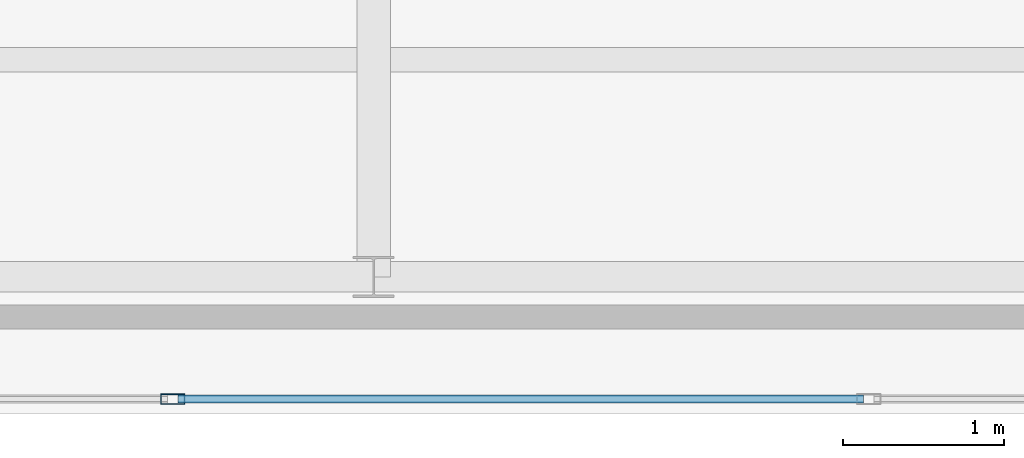
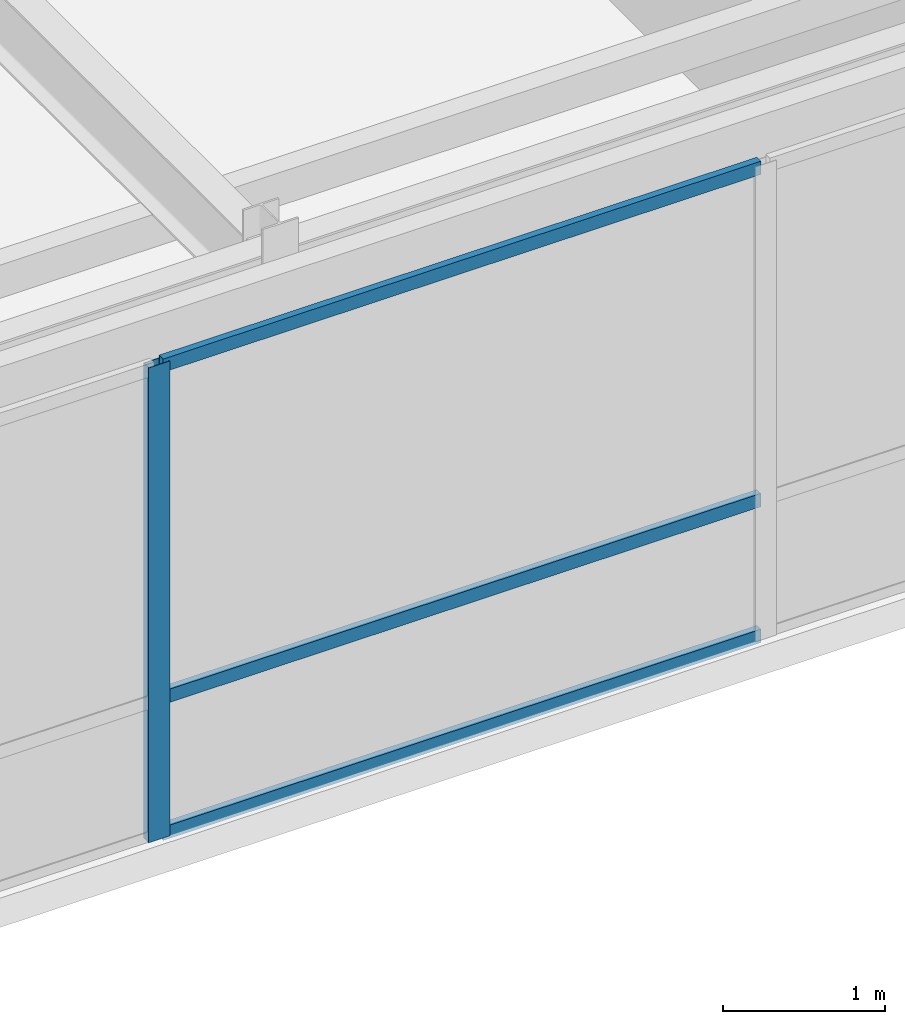
# One storey, part 10 of 36: 4 members, 1 element without a shape of its own.
"""IFC4 building model written with IfcOpenShell, lengths in metres."""

import ifcopenshell
import ifcopenshell.guid

model = None  # the IFC model being written
_history = None  # IfcOwnerHistory: only IFC2X3 demands one
_inside = {}  # id of a spatial element -> (the spatial element, [elements in it])
_under = {}  # id of a project, library or spatial element -> (it, [spatial elements below it])
_declared = {}  # id of a project -> (the project, [libraries it declares])
_typed = {}  # id of a type object -> (the type object, [elements of that type])
_made_of = {}  # id of a material, layer set ... -> (it, [elements and type objects made of it])


def new_model(schema):
    """Start an empty IFC model of exactly this schema.

    Asked for "IFC4X3", IfcOpenShell would pick the latest addendum, in which some entities
    have other attributes; the version numbers below select the first issue.
    IFC2X3 requires an IfcOwnerHistory on every rooted entity: one is made here for all.
    """
    global model, _history
    if schema == "IFC4X3":
        model = ifcopenshell.file(schema_version=(4, 3, 0, 0))
    else:
        model = ifcopenshell.file(schema=schema)
    _inside.clear()
    _under.clear()
    _declared.clear()
    _typed.clear()
    _made_of.clear()
    _history = None
    if model.schema == "IFC2X3":
        org = make("IfcOrganization", Name="unknown")
        user = make(
            "IfcPersonAndOrganization",
            ThePerson=make("IfcPerson", FamilyName="unknown"),
            TheOrganization=org,
        )
        app = make(
            "IfcApplication",
            ApplicationDeveloper=org,
            Version="unknown",
            ApplicationFullName="unknown",
            ApplicationIdentifier="unknown",
        )
        _history = make(
            "IfcOwnerHistory",
            OwningUser=user,
            OwningApplication=app,
            ChangeAction="ADDED",
            CreationDate=0,
        )
    return model


def make(cls, **values):
    """One entity of the class cls with the attributes given. An attribute that is None is left unset."""
    return model.create_entity(
        cls, **{name: value for name, value in values.items() if value is not None}
    )


def rooted(cls, **values):
    """An entity with a GlobalId (a new one), such as an element, a storey or a relation."""
    return make(cls, GlobalId=ifcopenshell.guid.new(), OwnerHistory=_history, **values)


def si_unit(unit_type, name, prefix=None):
    """IfcSIUnit, for example si_unit("LENGTHUNIT", "METRE", prefix="MILLI")."""
    return make("IfcSIUnit", UnitType=unit_type, Prefix=prefix, Name=name)


def assignment(units):
    """IfcUnitAssignment: the units of a project."""
    return None if units is None else make("IfcUnitAssignment", Units=units)


def point(xyz):
    """IfcCartesianPoint."""
    return None if xyz is None else make("IfcCartesianPoint", Coordinates=xyz)


def direction(xyz):
    """IfcDirection."""
    return None if xyz is None else make("IfcDirection", DirectionRatios=xyz)


def frame(location, z_axis=None, x_axis=None):
    """IfcAxis2Placement3D, a coordinate frame: its origin and axes. An axis left out is left unset."""
    return make(
        "IfcAxis2Placement3D",
        Location=point(location),
        Axis=direction(z_axis),
        RefDirection=direction(x_axis),
    )


def frame_2d(location, x_axis=None):
    """IfcAxis2Placement2D, a coordinate frame in the plane: its origin and x axis."""
    return make(
        "IfcAxis2Placement2D", Location=point(location), RefDirection=direction(x_axis)
    )


def origin():
    """The frame at (0, 0, 0) with its axes left unset."""
    return frame((0.0, 0.0, 0.0))


def origin_2d():
    """The frame at (0, 0) in the plane with its x axis left unset."""
    return frame_2d((0.0, 0.0))


def place(relative_to, where):
    """IfcLocalPlacement: puts the frame where relative to a parent placement (None: the world)."""
    return make(
        "IfcLocalPlacement", PlacementRelTo=relative_to, RelativePlacement=where
    )


def context(
    kind, dimensions, precision=None, world=None, true_north=None, identifier=None
):
    """IfcGeometricRepresentationContext, for example the 3D "Model" context."""
    return make(
        "IfcGeometricRepresentationContext",
        ContextIdentifier=identifier,
        ContextType=kind,
        CoordinateSpaceDimension=dimensions,
        Precision=precision,
        WorldCoordinateSystem=world,
        TrueNorth=true_north,
    )


def subcontext(parent, identifier, kind, view, scale=None):
    """IfcGeometricRepresentationSubContext, for example "Body" below "Model"."""
    return make(
        "IfcGeometricRepresentationSubContext",
        ContextIdentifier=identifier,
        ContextType=kind,
        ParentContext=parent,
        TargetScale=scale,
        TargetView=view,
    )


def project(units=None, contexts=None):
    """IfcProject with its units and contexts."""
    return rooted(
        "IfcProject",
        Name="project",
        RepresentationContexts=contexts,
        UnitsInContext=assignment(units),
    )


def spatial(cls, under=None, at=None, **own):
    """A site, building, storey or space (cls), placed at a placement, below another one or the project."""
    s = rooted(cls, ObjectPlacement=at, **own)
    if under is not None:
        _under.setdefault(under.id(), (under, []))[1].append(s)
    return s


def profile(cls, at=None, kind="AREA", **sizes):
    """A parametric profile (cls). Its sizes go by their IFC names, for example OverallWidth=200.0."""
    return make(cls, ProfileType=kind, Position=at, **sizes)


def hollow_rectangle(**sizes):
    """IfcRectangleHollowProfileDef."""
    return profile("IfcRectangleHollowProfileDef", **sizes)


def extrude(swept, where, along, depth):
    """IfcExtrudedAreaSolid: the profile swept, set in the frame where, extruded along a direction by depth."""
    return make(
        "IfcExtrudedAreaSolid",
        SweptArea=swept,
        Position=where,
        ExtrudedDirection=direction(along),
        Depth=depth,
    )


def shape(context_of_items, identifier, shape_type, items):
    """IfcShapeRepresentation: the items that make up one representation, for example the "Body"."""
    return make(
        "IfcShapeRepresentation",
        ContextOfItems=context_of_items,
        RepresentationIdentifier=identifier,
        RepresentationType=shape_type,
        Items=items,
    )


def source(mapping_origin, context_of_items, identifier, shape_type, items):
    """IfcRepresentationMap: a shape defined once, which mapped items show again and again."""
    return make(
        "IfcRepresentationMap",
        MappingOrigin=mapping_origin,
        MappedRepresentation=shape(context_of_items, identifier, shape_type, items),
    )


def transform(
    local_origin,
    x_axis=None,
    y_axis=None,
    z_axis=None,
    scale=None,
    scale2=None,
    scale3=None,
    uniform=True,
):
    """IfcCartesianTransformationOperator3D, or its non-uniform kind. x_axis, y_axis, z_axis: its Axis1, 2, 3."""
    if uniform:
        return make(
            "IfcCartesianTransformationOperator3D",
            Axis1=direction(x_axis),
            Axis2=direction(y_axis),
            LocalOrigin=point(local_origin),
            Scale=scale,
            Axis3=direction(z_axis),
        )
    return make(
        "IfcCartesianTransformationOperator3DnonUniform",
        Axis1=direction(x_axis),
        Axis2=direction(y_axis),
        LocalOrigin=point(local_origin),
        Scale=scale,
        Axis3=direction(z_axis),
        Scale2=scale2,
        Scale3=scale3,
    )


def mapped(mapping_source, mapping_target):
    """IfcMappedItem: shows the shape of a source again, moved by a transform."""
    return make(
        "IfcMappedItem", MappingSource=mapping_source, MappingTarget=mapping_target
    )


def material(Name=None, Category=None):
    """IfcMaterial."""
    return make("IfcMaterial", Name=Name, Category=Category)


def layer(
    of_material, thickness, ventilated=None, Name=None, Category=None, Priority=None
):
    """IfcMaterialLayer: one layer of a wall or slab, of a material (None: an air gap)."""
    return make(
        "IfcMaterialLayer",
        Material=of_material,
        LayerThickness=thickness,
        IsVentilated=ventilated,
        Name=Name,
        Category=Category,
        Priority=Priority,
    )


def layer_set(layers, Name=None):
    """IfcMaterialLayerSet."""
    return make("IfcMaterialLayerSet", MaterialLayers=layers, LayerSetName=Name)


def material_profile(
    of_material, cross_section, Name=None, Category=None, Priority=None
):
    """IfcMaterialProfile: a cross section and its material."""
    return make(
        "IfcMaterialProfile",
        Name=Name,
        Material=of_material,
        Profile=cross_section,
        Priority=Priority,
        Category=Category,
    )


def profile_set(profiles, Name=None, composite=None):
    """IfcMaterialProfileSet."""
    return make(
        "IfcMaterialProfileSet",
        Name=Name,
        MaterialProfiles=profiles,
        CompositeProfile=composite,
    )


def made_of(thing, what):
    """Note that an element or type object is made of a material, layer set ...; save() writes the relation."""
    if what is not None:
        _made_of.setdefault(what.id(), (what, []))[1].append(thing)
    return thing


def type_object(cls, material=None, **own):
    """A type object (cls), such as IfcWallType, which elements share."""
    return made_of(rooted(cls, **own), material)


def type_shapes(of_type, sources):
    """Give a type object the sources (RepresentationMaps) that its elements show as mapped items."""
    of_type.RepresentationMaps = sources


def element(
    cls,
    number,
    at=None,
    inside=None,
    cuts=None,
    type_object=None,
    material=None,
    context=None,
    identifier="Body",
    shape_type=None,
    held_by="IfcProductDefinitionShape",
    body=None,
    shapes=None,
    **own,
):
    """One element of the class cls, such as IfcWall. Its Tag is "e" and its number.

    at: its placement. inside: the storey or other place that contains it. cuts: it is an
    opening in that element (IfcRelVoidsElement). A single representation is given by context,
    identifier, shape_type and body (its items); several are given by shapes. held_by: the class
    of the entity that holds the representations. save() writes the other relations.
    """
    e = rooted(cls, Tag="e%d" % number, ObjectPlacement=at, **own)
    if body is not None:
        shapes = [shape(context, identifier, shape_type, body)]
    if shapes is not None:
        e.Representation = make(held_by, Representations=shapes)
    if inside is not None:
        _inside.setdefault(inside.id(), (inside, []))[1].append(e)
    if cuts is not None:
        rooted(
            "IfcRelVoidsElement", RelatingBuildingElement=cuts, RelatedOpeningElement=e
        )
    if type_object is not None:
        _typed.setdefault(type_object.id(), (type_object, []))[1].append(e)
    return made_of(e, material)


def aggregate(whole, parts):
    """IfcRelAggregates: a whole, such as a stair, and the parts it consists of."""
    return rooted("IfcRelAggregates", RelatingObject=whole, RelatedObjects=parts)


def save(model, path):
    """Write the relations noted so far, then the file.

    IfcRelAggregates (storeys below a building ...), IfcRelContainedInSpatialStructure (elements
    in a storey), IfcRelDefinesByType, IfcRelAssociatesMaterial and IfcRelDeclares: one each for
    every whole, place, type object, material and project.
    """
    for whole, parts in _under.values():
        aggregate(whole, parts)
    for where, things in _inside.values():
        rooted(
            "IfcRelContainedInSpatialStructure",
            RelatedElements=things,
            RelatingStructure=where,
        )
    for kind, things in _typed.values():
        rooted("IfcRelDefinesByType", RelatedObjects=things, RelatingType=kind)
    for what, things in _made_of.values():
        rooted("IfcRelAssociatesMaterial", RelatedObjects=things, RelatingMaterial=what)
    for by, libraries in _declared.values():
        rooted("IfcRelDeclares", RelatingContext=by, RelatedDefinitions=libraries)
    model.write(path)


model = new_model("IFC4")

# Units and contexts
model_context = context("Model", 3, precision=1e-05, world=origin(), true_north=direction((0.0, 1.0)))
body_context = subcontext(model_context, "Body", "Model", "MODEL_VIEW")
ifc_project = project(units=[si_unit("LENGTHUNIT", "METRE"), si_unit("AREAUNIT", "SQUARE_METRE"), si_unit("VOLUMEUNIT", "CUBIC_METRE"), si_unit("PLANEANGLEUNIT", "RADIAN"), si_unit("MASSUNIT", "GRAM", prefix="KILO")], contexts=[model_context])

# Site, building, storey
site_placement = place(None, origin())
site = spatial("IfcSite", under=ifc_project, at=site_placement, CompositionType="ELEMENT")
building_placement = place(site_placement, origin())
building = spatial("IfcBuilding", under=site, at=building_placement, Name="Tolvann Quenvar Hotel", CompositionType="ELEMENT")
storey_placement = place(building_placement, frame((0.0, 0.0, 306.14990234375)))
storey = spatial("IfcBuildingStorey", under=building, at=storey_placement, Name="L81", CompositionType="ELEMENT", Elevation=306.14990234375)

# Curtain wall, members
ifc_material_1 = material(Name="Thermally broken anodised architectural aluminium 6063-T6 and laminated low-E glass", Category="aluminium")
ifc_layer = layer(ifc_material_1, 0.179931640625)
ifc_layer_set = layer_set([ifc_layer], Name="Thermally broken anodised architectural aluminium 6063-T6 and laminated low-E glass")
curtain_wall_type = type_object("IfcCurtainWallType", Name="CW_SYS_LANT_06", PredefinedType="USERDEFINED", material=ifc_layer_set)
curtain_wall_placement = place(storey_placement, origin())
curtain_wall = element("IfcCurtainWall", 1, at=curtain_wall_placement, inside=storey, type_object=curtain_wall_type, Name="Curtain Wall CW-LANT-06 (CWR-L81-E04)", ObjectType="UNITISED CURTAIN WALL", PredefinedType="USERDEFINED")
ifc_material_2 = material(Name="Anodised architectural aluminium 6063-T6 framing", Category="aluminium")
ifc_material_profile_1 = material_profile(ifc_material_2, hollow_rectangle(XDim=0.06494140625, YDim=0.14990234375, WallThickness=0.00390625, at=origin_2d()), Name="150x65x4RHS")
ifc_profile_set_1 = profile_set([ifc_material_profile_1], Name="Anodised architectural aluminium 6063-T6 framing")
member_type_1 = type_object("IfcMemberType", Name="CW_MULL_150x65", PredefinedType="MULLION", material=ifc_profile_set_1)
shared_shape_1 = source(origin(), body_context, "Body", "SweptSolid", [
    extrude(hollow_rectangle(XDim=0.06494140625, YDim=0.14990234375, WallThickness=0.00390625, at=origin_2d()), origin(), (0.0, 0.0, 1.0), 3.580078125),
])
type_shapes(member_type_1, [shared_shape_1])
member_1_placement = place(storey_placement, frame((20.800048828125, 6.2900390625, 0.0), z_axis=(0.0, 0.0, 1.0), x_axis=(0.0, 1.0, 0.0)))
member_1 = element("IfcMember", 2, at=member_1_placement, type_object=member_type_1, Name="CW-LANT-06 mullion 4", PredefinedType="MULLION", context=body_context, shape_type="MappedRepresentation", body=[
    mapped(shared_shape_1, transform((0.0, 0.0, 0.0), x_axis=(1.0, 0.0, 0.0), y_axis=(0.0, 1.0, 0.0), z_axis=(0.0, 0.0, 1.0), scale=1.0)),
])
ifc_material_profile_2 = material_profile(ifc_material_2, hollow_rectangle(XDim=0.050048828125, YDim=0.10009765625, WallThickness=0.0029296875, at=origin_2d()), Name="100x50x3RHS")
ifc_profile_set_2 = profile_set([ifc_material_profile_2], Name="Anodised architectural aluminium 6063-T6 framing")
member_type_2 = type_object("IfcMemberType", Name="CW_TRAN_100x50", PredefinedType="USERDEFINED", material=ifc_profile_set_2)
shared_shape_2 = source(origin(), body_context, "Body", "SweptSolid", [
    extrude(hollow_rectangle(XDim=0.050048828125, YDim=0.10009765625, WallThickness=0.0029296875, at=origin_2d()), origin(), (0.0, 0.0, 1.0), 4.2626953125),
])
type_shapes(member_type_2, [shared_shape_2])
member_2_placement = place(storey_placement, frame((20.83251953125, 6.2900390625, 0.025146484375), z_axis=(1.0, 0.0, 0.0), x_axis=(0.0, 1.0, 0.0)))
member_2 = element("IfcMember", 3, at=member_2_placement, type_object=member_type_2, Name="CW-LANT-06 transom 4.1", ObjectType="TRANSOM", PredefinedType="USERDEFINED", context=body_context, shape_type="MappedRepresentation", body=[
    mapped(shared_shape_2, transform((0.0, 0.0, 0.0), x_axis=(1.0, 0.0, 0.0), y_axis=(0.0, 1.0, 0.0), z_axis=(0.0, 0.0, 1.0), scale=1.0)),
])
member_3_placement = place(storey_placement, frame((20.83251953125, 6.2900390625, 1.050048828125), z_axis=(1.0, 0.0, 0.0), x_axis=(0.0, 1.0, 0.0)))
member_3 = element("IfcMember", 4, at=member_3_placement, type_object=member_type_2, Name="CW-LANT-06 transom 4.2", ObjectType="TRANSOM", PredefinedType="USERDEFINED", context=body_context, shape_type="MappedRepresentation", body=[
    mapped(shared_shape_2, transform((0.0, 0.0, 0.0), x_axis=(1.0, 0.0, 0.0), y_axis=(0.0, 1.0, 0.0), z_axis=(0.0, 0.0, 1.0), scale=1.0)),
])
member_4_placement = place(storey_placement, frame((20.83251953125, 6.2900390625, 3.55517578125), z_axis=(1.0, 0.0, 0.0), x_axis=(0.0, 1.0, 0.0)))
member_4 = element("IfcMember", 5, at=member_4_placement, type_object=member_type_2, Name="CW-LANT-06 transom 4.3", ObjectType="TRANSOM", PredefinedType="USERDEFINED", context=body_context, shape_type="MappedRepresentation", body=[
    mapped(shared_shape_2, transform((0.0, 0.0, 0.0), x_axis=(1.0, 0.0, 0.0), y_axis=(0.0, 1.0, 0.0), z_axis=(0.0, 0.0, 1.0), scale=1.0)),
])
aggregate(curtain_wall, [member_1, member_2, member_3, member_4])

save(model, "model.ifc")
